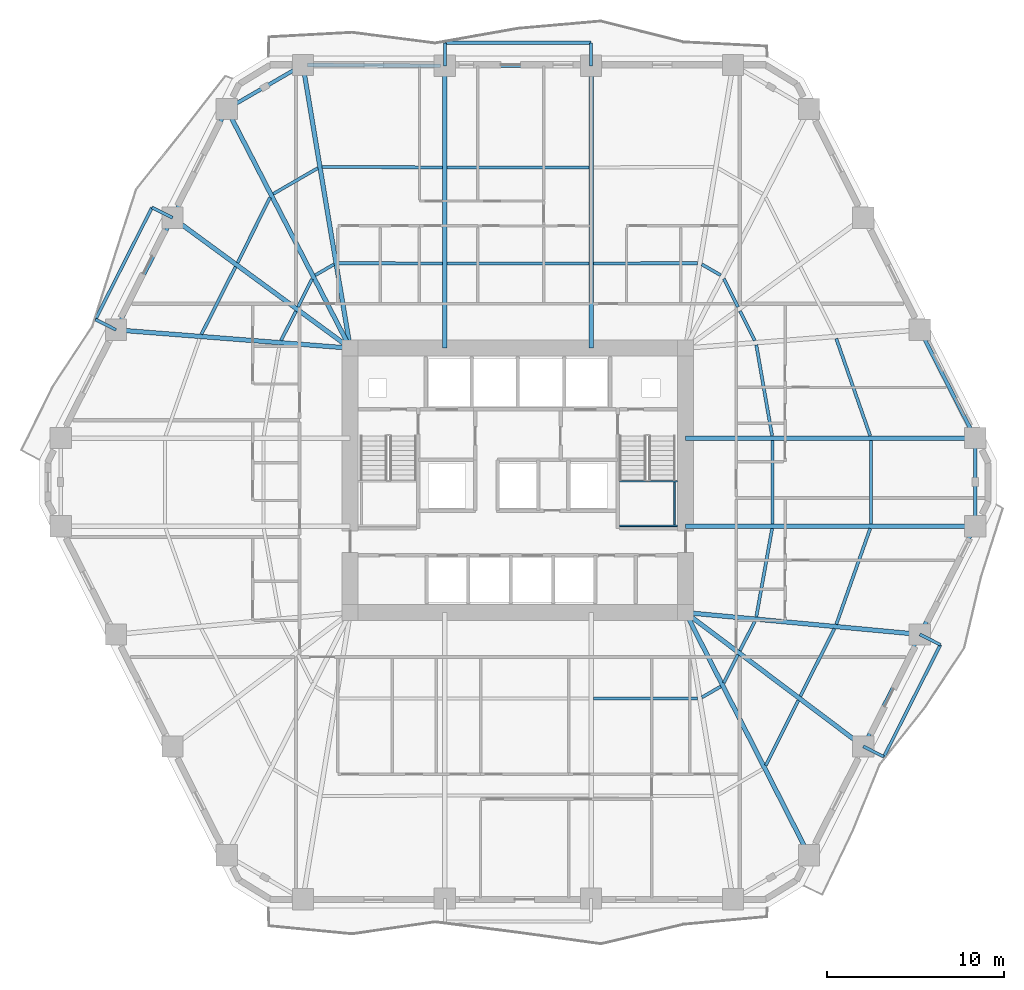
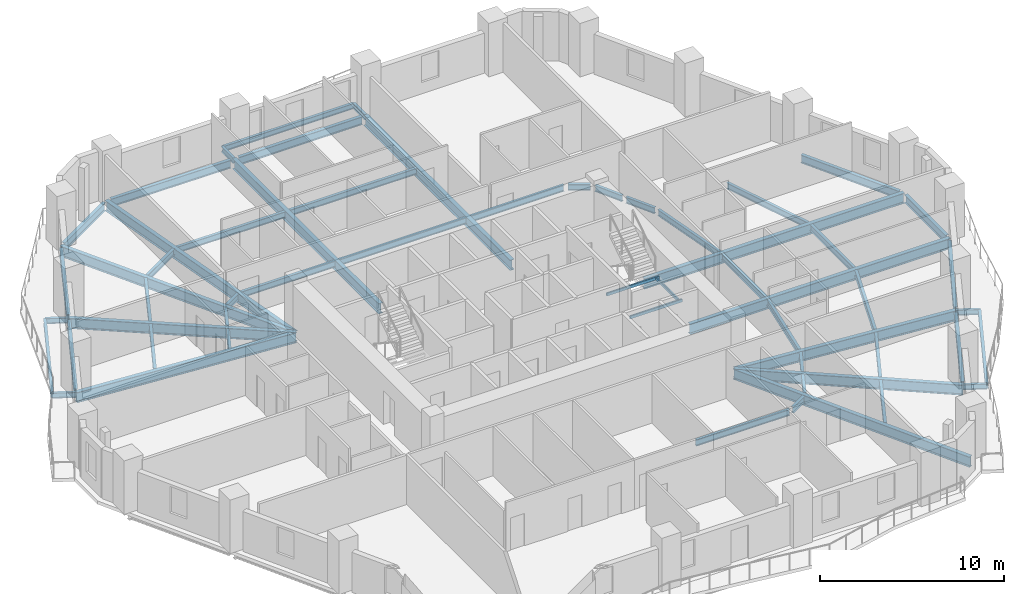
# One storey, part 2 of 12: 58 beams.
"""IFC4 building model written with IfcOpenShell, lengths in metres."""

from ifc_helpers import new_model, si_unit, direction, frame, origin, origin_2d, place, context, subcontext, project, spatial, hollow_rectangle, i_section, extrude, material, material_profile, profile_set, type_object, element, save


model = new_model("IFC4")

# Units and contexts
model_context = context("Model", 3, precision=1e-05, world=origin(), true_north=direction((0.0, 1.0)))
body_context = subcontext(model_context, "Body", "Model", "MODEL_VIEW")
ifc_project = project(units=[si_unit("LENGTHUNIT", "METRE"), si_unit("AREAUNIT", "SQUARE_METRE"), si_unit("VOLUMEUNIT", "CUBIC_METRE"), si_unit("PLANEANGLEUNIT", "RADIAN"), si_unit("MASSUNIT", "GRAM", prefix="KILO")], contexts=[model_context])

# Site, building, storey
site_placement = place(None, origin())
site = spatial("IfcSite", under=ifc_project, at=site_placement, CompositionType="ELEMENT")
building_placement = place(site_placement, origin())
building = spatial("IfcBuilding", under=site, at=building_placement, Name="Cinnabar Lancet Tower", CompositionType="ELEMENT")
storey_placement = place(building_placement, frame((0.0, 0.0, 71.050048828125)))
storey = spatial("IfcBuildingStorey", under=building, at=storey_placement, Name="L18", CompositionType="ELEMENT", Elevation=71.050048828125)

# Beams
ifc_material_1 = material(Name="Structural steel S355", Category="steel")
ifc_material_profile_1 = material_profile(ifc_material_1, i_section(OverallWidth=0.177978515625, OverallDepth=0.406494140625, WebThickness=0.0078125, FlangeThickness=0.0126953125, FilletRadius=0.01025390625, at=origin_2d()), Name="UKB 406x178x60")
ifc_profile_set_1 = profile_set([ifc_material_profile_1], Name="Structural steel S355")
beam_type_1 = type_object("IfcBeamType", Name="STR-BM-JST-406", PredefinedType="JOIST", material=ifc_profile_set_1)
beam_1_placement = place(storey_placement, frame((36.64892578125, 13.616943359375, -0.423095703125), z_axis=(0.999996783932, -0.002536163472, 0.0), x_axis=(0.002536163472, 0.999996783932, 0.0)))
element("IfcBeam", 1, at=beam_1_placement, inside=storey, type_object=beam_type_1, Name="L18 Secondary Floor Joist 14", PredefinedType="JOIST", context=body_context, shape_type="SweptSolid", body=[
    extrude(i_section(OverallWidth=0.177978515625, OverallDepth=0.406494140625, WebThickness=0.0078125, FlangeThickness=0.0126953125, FilletRadius=0.01025390625, at=origin_2d()), origin(), (0.0, 0.0, 1.0), 5.8720703125),
])
beam_2_placement = place(storey_placement, frame((42.76708984375, 13.669921875, -0.423095703125), z_axis=(0.865417177575, 0.50105200205, 0.0), x_axis=(-0.50105200205, 0.865417177575, 0.0)))
element("IfcBeam", 2, at=beam_2_placement, inside=storey, type_object=beam_type_1, Name="L18 Secondary Floor Joist 16", PredefinedType="JOIST", context=body_context, shape_type="SweptSolid", body=[
    extrude(i_section(OverallWidth=0.177978515625, OverallDepth=0.406494140625, WebThickness=0.0078125, FlangeThickness=0.0126953125, FilletRadius=0.01025390625, at=origin_2d()), origin(), (0.0, 0.0, 1.0), 1.223388671875),
])
beam_3_placement = place(storey_placement, frame((46.3701171875, 9.837890625, -0.423095703125), z_axis=(0.445807799253, 0.895128709251, 0.0), x_axis=(-0.895128709251, 0.445807799253, 0.0)))
element("IfcBeam", 3, at=beam_3_placement, inside=storey, type_object=beam_type_1, Name="L18 Secondary Floor Joist 17", PredefinedType="JOIST", context=body_context, shape_type="SweptSolid", body=[
    extrude(i_section(OverallWidth=0.177978515625, OverallDepth=0.406494140625, WebThickness=0.0078125, FlangeThickness=0.0126953125, FilletRadius=0.01025390625, at=origin_2d()), origin(), (0.0, 0.0, 1.0), 4.10009765625),
])
beam_4_placement = place(storey_placement, frame((44.006103515625, 14.488037109375, -0.423095703125), z_axis=(0.445778141453, 0.895143479339, 0.0), x_axis=(-0.895143479339, 0.445778141453, 0.0)))
element("IfcBeam", 4, at=beam_4_placement, inside=storey, type_object=beam_type_1, Name="L18 Secondary Floor Joist 18", PredefinedType="JOIST", context=body_context, shape_type="SweptSolid", body=[
    extrude(i_section(OverallWidth=0.177978515625, OverallDepth=0.406494140625, WebThickness=0.0078125, FlangeThickness=0.0126953125, FilletRadius=0.01025390625, at=origin_2d()), origin(), (0.0, 0.0, 1.0), 1.76953125),
])
beam_5_placement = place(storey_placement, frame((48.31396484375, 13.739013671875, -0.423095703125), z_axis=(0.450763900798, 0.892643213012, 0.0), x_axis=(-0.892643213012, 0.450763900798, 0.0)))
element("IfcBeam", 5, at=beam_5_placement, inside=storey, type_object=beam_type_1, Name="L18 Secondary Floor Joist 19", PredefinedType="JOIST", context=body_context, shape_type="SweptSolid", body=[
    extrude(i_section(OverallWidth=0.177978515625, OverallDepth=0.406494140625, WebThickness=0.0078125, FlangeThickness=0.0126953125, FilletRadius=0.01025390625, at=origin_2d()), origin(), (0.0, 0.0, 1.0), 4.25927734375),
])
beam_6_placement = place(storey_placement, frame((44.910888671875, 16.302978515625, -0.423095703125), z_axis=(0.450737053799, 0.892656769611, 0.0), x_axis=(-0.892656769611, 0.450737053799, 0.0)))
element("IfcBeam", 6, at=beam_6_placement, inside=storey, type_object=beam_type_1, Name="L18 Secondary Floor Joist 20", PredefinedType="JOIST", context=body_context, shape_type="SweptSolid", body=[
    extrude(i_section(OverallWidth=0.177978515625, OverallDepth=0.406494140625, WebThickness=0.0078125, FlangeThickness=0.0126953125, FilletRadius=0.01025390625, at=origin_2d()), origin(), (0.0, 0.0, 1.0), 1.855224609375),
])
beam_7_placement = place(storey_placement, frame((50.339111328125, 17.785888671875, -0.423095703125), z_axis=(0.333384030214, 0.942791115995, 0.0), x_axis=(-0.942791115995, 0.333384030214, 0.0)))
element("IfcBeam", 7, at=beam_7_placement, inside=storey, type_object=beam_type_1, Name="L18 Secondary Floor Joist 21", PredefinedType="JOIST", context=body_context, shape_type="SweptSolid", body=[
    extrude(i_section(OverallWidth=0.177978515625, OverallDepth=0.406494140625, WebThickness=0.0078125, FlangeThickness=0.0126953125, FilletRadius=0.01025390625, at=origin_2d()), origin(), (0.0, 0.0, 1.0), 5.728759765625),
])
beam_8_placement = place(storey_placement, frame((45.8310546875, 18.2060546875, -0.423095703125), z_axis=(0.176248165752, 0.98434576449, 0.0), x_axis=(-0.98434576449, 0.176248165752, 0.0)))
element("IfcBeam", 8, at=beam_8_placement, inside=storey, type_object=beam_type_1, Name="L18 Secondary Floor Joist 22", PredefinedType="JOIST", context=body_context, shape_type="SweptSolid", body=[
    extrude(i_section(OverallWidth=0.177978515625, OverallDepth=0.406494140625, WebThickness=0.0078125, FlangeThickness=0.0126953125, FilletRadius=0.01025390625, at=origin_2d()), origin(), (0.0, 0.0, 1.0), 5.06005859375),
])
for number, where, z_axis, x_axis, name in (
    (9, (52.2939453125, 23.44091796875, -0.423095703125), (0.0, 1.0, 0.0), (-1.0, 0.0, 0.0), "L18 Secondary Floor Joist 23"),
    (10, (46.7451171875, 23.44091796875, -0.423095703125), (0.0, 1.0, 0.0), (-1.0, 0.0, 0.0), "L18 Secondary Floor Joist 24"),
):
    element("IfcBeam", number, at=place(storey_placement, frame(where, z_axis=z_axis, x_axis=x_axis)), inside=storey, type_object=beam_type_1, Name=name, PredefinedType="JOIST", context=body_context, shape_type="SweptSolid", body=[
        extrude(i_section(OverallWidth=0.177978515625, OverallDepth=0.406494140625, WebThickness=0.0078125, FlangeThickness=0.0126953125, FilletRadius=0.01025390625, at=origin_2d()), origin(), (0.0, 0.0, 1.0), 4.718017578125),
    ])
beam_9_placement = place(storey_placement, frame((52.2490234375, 28.4130859375, -0.423095703125), z_axis=(-0.329541584143, 0.944141061664, 0.0), x_axis=(-0.944141061664, -0.329541584143, 0.0)))
element("IfcBeam", 11, at=beam_9_placement, inside=storey, type_object=beam_type_1, Name="L18 Secondary Floor Joist 25", PredefinedType="JOIST", context=body_context, shape_type="SweptSolid", body=[
    extrude(i_section(OverallWidth=0.177978515625, OverallDepth=0.406494140625, WebThickness=0.0078125, FlangeThickness=0.0126953125, FilletRadius=0.01025390625, at=origin_2d()), origin(), (0.0, 0.0, 1.0), 5.795654296875),
])
beam_10_placement = place(storey_placement, frame((46.722900390625, 28.4130859375, -0.423095703125), z_axis=(-0.171608810888, 0.985165171951, 0.0), x_axis=(-0.985165171951, -0.171608810888, 0.0)))
element("IfcBeam", 12, at=beam_10_placement, inside=storey, type_object=beam_type_1, Name="L18 Secondary Floor Joist 26", PredefinedType="JOIST", context=body_context, shape_type="SweptSolid", body=[
    extrude(i_section(OverallWidth=0.177978515625, OverallDepth=0.406494140625, WebThickness=0.0078125, FlangeThickness=0.0126953125, FilletRadius=0.01025390625, at=origin_2d()), origin(), (0.0, 0.0, 1.0), 5.197021484375),
])
beam_11_placement = place(storey_placement, frame((45.7470703125, 33.781005859375, -0.423095703125), z_axis=(-0.450525338421, 0.89276364142, 0.0), x_axis=(-0.89276364142, -0.450525338421, 0.0)))
element("IfcBeam", 13, at=beam_11_placement, inside=storey, type_object=beam_type_1, Name="L18 Secondary Floor Joist 28", PredefinedType="JOIST", context=body_context, shape_type="SweptSolid", body=[
    extrude(i_section(OverallWidth=0.177978515625, OverallDepth=0.406494140625, WebThickness=0.0078125, FlangeThickness=0.0126953125, FilletRadius=0.01025390625, at=origin_2d()), origin(), (0.0, 0.0, 1.0), 1.85595703125),
])
beam_12_placement = place(storey_placement, frame((44.794921875, 35.66796875, -0.423095703125), z_axis=(-0.445778141453, 0.895143479339, 0.0), x_axis=(-0.895143479339, -0.445778141453, 0.0)))
element("IfcBeam", 14, at=beam_12_placement, inside=storey, type_object=beam_type_1, Name="L18 Secondary Floor Joist 30", PredefinedType="JOIST", context=body_context, shape_type="SweptSolid", body=[
    extrude(i_section(OverallWidth=0.177978515625, OverallDepth=0.406494140625, WebThickness=0.0078125, FlangeThickness=0.0126953125, FilletRadius=0.01025390625, at=origin_2d()), origin(), (0.0, 0.0, 1.0), 1.76953125),
])
beam_13_placement = place(storey_placement, frame((43.825927734375, 37.45703125, -0.423095703125), z_axis=(-0.865417177575, 0.50105200205, 0.0), x_axis=(-0.50105200205, -0.865417177575, 0.0)))
element("IfcBeam", 15, at=beam_13_placement, inside=storey, type_object=beam_type_1, Name="L18 Secondary Floor Joist 32", PredefinedType="JOIST", context=body_context, shape_type="SweptSolid", body=[
    extrude(i_section(OverallWidth=0.177978515625, OverallDepth=0.406494140625, WebThickness=0.0078125, FlangeThickness=0.0126953125, FilletRadius=0.01025390625, at=origin_2d()), origin(), (0.0, 0.0, 1.0), 1.223388671875),
])
beam_14_placement = place(storey_placement, frame((42.52099609375, 38.137939453125, -0.423095703125), z_axis=(-0.999996783932, -0.002536163472, 0.0), x_axis=(0.002536163472, -0.999996783932, 0.0)))
element("IfcBeam", 16, at=beam_14_placement, inside=storey, type_object=beam_type_1, Name="L18 Secondary Floor Joist 34", PredefinedType="JOIST", context=body_context, shape_type="SweptSolid", body=[
    extrude(i_section(OverallWidth=0.177978515625, OverallDepth=0.406494140625, WebThickness=0.0078125, FlangeThickness=0.0126953125, FilletRadius=0.01025390625, at=origin_2d()), origin(), (0.0, 0.0, 1.0), 5.8720703125),
])
for number, where, z_axis, x_axis, name in (
    (17, (36.39501953125, 43.531005859375, -0.423095703125), (-1.0, 0.0, 0.0), (0.0, -1.0, 0.0), "L18 Secondary Floor Joist 35"),
    (18, (36.39501953125, 38.1220703125, -0.423095703125), (-1.0, 0.0, 0.0), (0.0, -1.0, 0.0), "L18 Secondary Floor Joist 36"),
):
    element("IfcBeam", number, at=place(storey_placement, frame(where, z_axis=z_axis, x_axis=x_axis)), inside=storey, type_object=beam_type_1, Name=name, PredefinedType="JOIST", context=body_context, shape_type="SweptSolid", body=[
        extrude(i_section(OverallWidth=0.177978515625, OverallDepth=0.406494140625, WebThickness=0.0078125, FlangeThickness=0.0126953125, FilletRadius=0.01025390625, at=origin_2d()), origin(), (0.0, 0.0, 1.0), 7.989990234375),
    ])
beam_15_placement = place(storey_placement, frame((28.15087890625, 43.531982421875, -0.423095703125), z_axis=(-0.999988870422, 0.004717947923, 0.0), x_axis=(-0.004717947923, -0.999988870422, 0.0)))
element("IfcBeam", 19, at=beam_15_placement, inside=storey, type_object=beam_type_1, Name="L18 Secondary Floor Joist 37", PredefinedType="JOIST", context=body_context, shape_type="SweptSolid", body=[
    extrude(i_section(OverallWidth=0.177978515625, OverallDepth=0.406494140625, WebThickness=0.0078125, FlangeThickness=0.0126953125, FilletRadius=0.01025390625, at=origin_2d()), origin(), (0.0, 0.0, 1.0), 6.77880859375),
])
beam_16_placement = place(storey_placement, frame((28.15087890625, 38.123046875, -0.423095703125), z_axis=(-0.999996783665, 0.00253626892, 0.0), x_axis=(-0.00253626892, -0.999996783665, 0.0)))
element("IfcBeam", 20, at=beam_16_placement, inside=storey, type_object=beam_type_1, Name="L18 Secondary Floor Joist 38", PredefinedType="JOIST", context=body_context, shape_type="SweptSolid", body=[
    extrude(i_section(OverallWidth=0.177978515625, OverallDepth=0.406494140625, WebThickness=0.0078125, FlangeThickness=0.0126953125, FilletRadius=0.01025390625, at=origin_2d()), origin(), (0.0, 0.0, 1.0), 5.871826171875),
])
beam_17_placement = place(storey_placement, frame((21.1259765625, 43.4970703125, -0.423095703125), z_axis=(-0.865209684948, -0.501410212373, 0.0), x_axis=(0.501410212373, -0.865209684948, 0.0)))
element("IfcBeam", 21, at=beam_17_placement, inside=storey, type_object=beam_type_1, Name="L18 Secondary Floor Joist 39", PredefinedType="JOIST", context=body_context, shape_type="SweptSolid", body=[
    extrude(i_section(OverallWidth=0.177978515625, OverallDepth=0.406494140625, WebThickness=0.0078125, FlangeThickness=0.0126953125, FilletRadius=0.01025390625, at=origin_2d()), origin(), (0.0, 0.0, 1.0), 2.90771484375),
])
beam_18_placement = place(storey_placement, frame((22.032958984375, 38.070068359375, -0.423095703125), z_axis=(-0.865417177575, -0.50105200205, 0.0), x_axis=(0.50105200205, -0.865417177575, 0.0)))
element("IfcBeam", 22, at=beam_18_placement, inside=storey, type_object=beam_type_1, Name="L18 Secondary Floor Joist 40", PredefinedType="JOIST", context=body_context, shape_type="SweptSolid", body=[
    extrude(i_section(OverallWidth=0.177978515625, OverallDepth=0.406494140625, WebThickness=0.0078125, FlangeThickness=0.0126953125, FilletRadius=0.01025390625, at=origin_2d()), origin(), (0.0, 0.0, 1.0), 1.223388671875),
])
beam_19_placement = place(storey_placement, frame((18.429931640625, 41.8349609375, -0.423095703125), z_axis=(-0.445641523434, -0.895211501597, 0.0), x_axis=(0.895211501597, -0.445641523434, 0.0)))
element("IfcBeam", 23, at=beam_19_placement, inside=storey, type_object=beam_type_1, Name="L18 Secondary Floor Joist 41", PredefinedType="JOIST", context=body_context, shape_type="SweptSolid", body=[
    extrude(i_section(OverallWidth=0.177978515625, OverallDepth=0.406494140625, WebThickness=0.0078125, FlangeThickness=0.0126953125, FilletRadius=0.01025390625, at=origin_2d()), origin(), (0.0, 0.0, 1.0), 4.1015625),
])
beam_20_placement = place(storey_placement, frame((20.7939453125, 37.251953125, -0.423095703125), z_axis=(-0.445888683384, -0.895088421347, 0.0), x_axis=(0.895088421347, -0.445888683384, 0.0)))
element("IfcBeam", 24, at=beam_20_placement, inside=storey, type_object=beam_type_1, Name="L18 Secondary Floor Joist 42", PredefinedType="JOIST", context=body_context, shape_type="SweptSolid", body=[
    extrude(i_section(OverallWidth=0.177978515625, OverallDepth=0.406494140625, WebThickness=0.0078125, FlangeThickness=0.0126953125, FilletRadius=0.01025390625, at=origin_2d()), origin(), (0.0, 0.0, 1.0), 1.76953125),
])
beam_21_placement = place(storey_placement, frame((16.486083984375, 37.93310546875, -0.423095703125), z_axis=(-0.450901848865, -0.892573539094, 0.0), x_axis=(0.892573539094, -0.450901848865, 0.0)))
element("IfcBeam", 25, at=beam_21_placement, inside=storey, type_object=beam_type_1, Name="L18 Secondary Floor Joist 43", PredefinedType="JOIST", context=body_context, shape_type="SweptSolid", body=[
    extrude(i_section(OverallWidth=0.177978515625, OverallDepth=0.406494140625, WebThickness=0.0078125, FlangeThickness=0.0126953125, FilletRadius=0.01025390625, at=origin_2d()), origin(), (0.0, 0.0, 1.0), 4.258544921875),
])
beam_22_placement = place(storey_placement, frame((19.888916015625, 35.43798828125, -0.423095703125), z_axis=(-0.450420487985, -0.892816545547, 0.0), x_axis=(0.892816545547, -0.450420487985, 0.0)))
element("IfcBeam", 26, at=beam_22_placement, inside=storey, type_object=beam_type_1, Name="L18 Secondary Floor Joist 44", PredefinedType="JOIST", context=body_context, shape_type="SweptSolid", body=[
    extrude(i_section(OverallWidth=0.177978515625, OverallDepth=0.406494140625, WebThickness=0.0078125, FlangeThickness=0.0126953125, FilletRadius=0.01025390625, at=origin_2d()), origin(), (0.0, 0.0, 1.0), 1.85595703125),
])
ifc_material_2 = material(Name="Structural steel S355", Category="steel")
ifc_material_profile_2 = material_profile(ifc_material_2, hollow_rectangle(XDim=0.10009765625, YDim=0.199951171875, WallThickness=0.008056640625, InnerFilletRadius=0.00390625, OuterFilletRadius=0.011962890625, at=origin_2d()), Name="RHS 200x100x8")
ifc_profile_set_2 = profile_set([ifc_material_profile_2], Name="Structural steel S355")
beam_type_2 = type_object("IfcBeamType", Name="STR-BM-LND-203", PredefinedType="BEAM", material=ifc_profile_set_2)
for number, where, z_axis, x_axis, name in (
    (27, (38.1201171875, 23.330078125, 1.474853515625), (1.0, 0.0, 0.0), (0.0, 1.0, 0.0), "L18 ST-2-L18 Landing Support Beam S"),
    (28, (38.1201171875, 25.844970703125, 1.474853515625), (1.0, 0.0, 0.0), (0.0, 1.0, 0.0), "L18 ST-2-L18 Landing Support Beam N"),
):
    element("IfcBeam", number, at=place(storey_placement, frame(where, z_axis=z_axis, x_axis=x_axis)), inside=storey, type_object=beam_type_2, Name=name, PredefinedType="BEAM", context=body_context, shape_type="SweptSolid", body=[
        extrude(hollow_rectangle(XDim=0.10009765625, YDim=0.199951171875, WallThickness=0.008056640625, InnerFilletRadius=0.00390625, OuterFilletRadius=0.011962890625, at=origin_2d()), origin(), (0.0, 0.0, 1.0), 3.27978515625),
    ])
beam_23_placement = place(storey_placement, frame((41.219970703125, 23.3798828125, 1.474853515625), z_axis=(0.0, 1.0, 0.0), x_axis=(-1.0, 0.0, 0.0)))
element("IfcBeam", 29, at=beam_23_placement, inside=storey, type_object=beam_type_2, Name="L18 ST-2-L18 Landing Side Trimmer Beam", PredefinedType="BEAM", context=body_context, shape_type="SweptSolid", body=[
    extrude(hollow_rectangle(XDim=0.10009765625, YDim=0.199951171875, WallThickness=0.008056640625, InnerFilletRadius=0.00390625, OuterFilletRadius=0.011962890625, at=origin_2d()), origin(), (0.0, 0.0, 1.0), 2.4150390625),
])
ifc_material_3 = material(Name="Structural steel S355", Category="steel")
ifc_material_profile_3 = material_profile(ifc_material_3, i_section(OverallWidth=0.209228515625, OverallDepth=0.533203125, WebThickness=0.010009765625, FlangeThickness=0.015625, FilletRadius=0.0126953125, at=origin_2d()), Name="UKB 533x210x92")
ifc_profile_set_3 = profile_set([ifc_material_profile_3], Name="Structural steel S355")
beam_type_3 = type_object("IfcBeamType", Name="STR-BM-SPN-533", PredefinedType="SPANDREL", material=ifc_profile_set_3)
beam_24_placement = place(storey_placement, frame((51.971923828125, 11.132080078125, -0.487060546875), z_axis=(0.450703143926, 0.892673891214, 0.0), x_axis=(-0.892673891214, 0.450703143926, 0.0)))
element("IfcBeam", 30, at=beam_24_placement, inside=storey, type_object=beam_type_3, Name="L18 Perimeter Spandrel 6", PredefinedType="SPANDREL", context=body_context, shape_type="SweptSolid", body=[
    extrude(i_section(OverallWidth=0.209228515625, OverallDepth=0.533203125, WebThickness=0.010009765625, FlangeThickness=0.015625, FilletRadius=0.0126953125, at=origin_2d()), origin(), (0.0, 0.0, 1.0), 6.570068359375),
])
beam_25_placement = place(storey_placement, frame((55.159912109375, 17.443115234375, -0.487060546875), z_axis=(0.456024522632, 0.889967209934, 0.0), x_axis=(-0.889967209934, 0.456024522632, 0.0)))
element("IfcBeam", 31, at=beam_25_placement, inside=storey, type_object=beam_type_3, Name="L18 Perimeter Spandrel 7", PredefinedType="SPANDREL", context=body_context, shape_type="SweptSolid", body=[
    extrude(i_section(OverallWidth=0.209228515625, OverallDepth=0.533203125, WebThickness=0.010009765625, FlangeThickness=0.015625, FilletRadius=0.0126953125, at=origin_2d()), origin(), (0.0, 0.0, 1.0), 6.34619140625),
])
beam_26_placement = place(storey_placement, frame((58.16796875, 23.56396484375, -0.487060546875), z_axis=(0.0, 1.0, 0.0), x_axis=(-1.0, 0.0, 0.0)))
element("IfcBeam", 32, at=beam_26_placement, inside=storey, type_object=beam_type_3, Name="L18 Perimeter Spandrel 8", PredefinedType="SPANDREL", context=body_context, shape_type="SweptSolid", body=[
    extrude(i_section(OverallWidth=0.209228515625, OverallDepth=0.533203125, WebThickness=0.010009765625, FlangeThickness=0.015625, FilletRadius=0.0126953125, at=origin_2d()), origin(), (0.0, 0.0, 1.0), 4.471923828125),
])
beam_27_placement = place(storey_placement, frame((58.053955078125, 28.509033203125, -0.487060546875), z_axis=(-0.456024522632, 0.889967209934, 0.0), x_axis=(-0.889967209934, -0.456024522632, 0.0)))
element("IfcBeam", 33, at=beam_27_placement, inside=storey, type_object=beam_type_3, Name="L18 Perimeter Spandrel 9", PredefinedType="SPANDREL", context=body_context, shape_type="SweptSolid", body=[
    extrude(i_section(OverallWidth=0.209228515625, OverallDepth=0.533203125, WebThickness=0.010009765625, FlangeThickness=0.015625, FilletRadius=0.0126953125, at=origin_2d()), origin(), (0.0, 0.0, 1.0), 6.34619140625),
])
beam_28_placement = place(storey_placement, frame((36.27197265625, 49.258056640625, -0.487060546875), z_axis=(-1.0, 0.0, 0.0), x_axis=(0.0, -1.0, 0.0)))
element("IfcBeam", 34, at=beam_28_placement, inside=storey, type_object=beam_type_3, Name="L18 Perimeter Spandrel 14", PredefinedType="SPANDREL", context=body_context, shape_type="SweptSolid", body=[
    extrude(i_section(OverallWidth=0.209228515625, OverallDepth=0.533203125, WebThickness=0.010009765625, FlangeThickness=0.015625, FilletRadius=0.0126953125, at=origin_2d()), origin(), (0.0, 0.0, 1.0), 7.743896484375),
])
beam_29_placement = place(storey_placement, frame((28.028076171875, 49.260009765625, -0.487060546875), z_axis=(-0.99997856757, 0.006547090947, 0.0), x_axis=(-0.006547090947, -0.99997856757, 0.0)))
element("IfcBeam", 35, at=beam_29_placement, inside=storey, type_object=beam_type_3, Name="L18 Perimeter Spandrel 15", PredefinedType="SPANDREL", context=body_context, shape_type="SweptSolid", body=[
    extrude(i_section(OverallWidth=0.209228515625, OverallDepth=0.533203125, WebThickness=0.010009765625, FlangeThickness=0.015625, FilletRadius=0.0126953125, at=origin_2d()), origin(), (0.0, 0.0, 1.0), 7.495361328125),
])
beam_30_placement = place(storey_placement, frame((20.06689453125, 49.18603515625, -0.487060546875), z_axis=(-0.865147238596, -0.501517951374, 0.0), x_axis=(0.501517951374, -0.865147238596, 0.0)))
element("IfcBeam", 36, at=beam_30_placement, inside=storey, type_object=beam_type_3, Name="L18 Perimeter Spandrel 16", PredefinedType="SPANDREL", context=body_context, shape_type="SweptSolid", body=[
    extrude(i_section(OverallWidth=0.209228515625, OverallDepth=0.533203125, WebThickness=0.010009765625, FlangeThickness=0.015625, FilletRadius=0.0126953125, at=origin_2d()), origin(), (0.0, 0.0, 1.0), 4.454833984375),
])
beam_31_placement = place(storey_placement, frame((15.885986328125, 46.60302734375, -0.487060546875), z_axis=(-0.445953050023, -0.89505635419, 0.0), x_axis=(0.89505635419, -0.445953050023, 0.0)))
element("IfcBeam", 37, at=beam_31_placement, inside=storey, type_object=beam_type_3, Name="L18 Perimeter Spandrel 17", PredefinedType="SPANDREL", context=body_context, shape_type="SweptSolid", body=[
    extrude(i_section(OverallWidth=0.209228515625, OverallDepth=0.533203125, WebThickness=0.010009765625, FlangeThickness=0.015625, FilletRadius=0.0126953125, at=origin_2d()), origin(), (0.0, 0.0, 1.0), 6.35498046875),
])
beam_32_placement = place(storey_placement, frame((12.827880859375, 40.468017578125, -0.487060546875), z_axis=(-0.450673532306, -0.892688841242, 0.0), x_axis=(0.892688841242, -0.450673532306, 0.0)))
element("IfcBeam", 38, at=beam_32_placement, inside=storey, type_object=beam_type_3, Name="L18 Perimeter Spandrel 18", PredefinedType="SPANDREL", context=body_context, shape_type="SweptSolid", body=[
    extrude(i_section(OverallWidth=0.209228515625, OverallDepth=0.533203125, WebThickness=0.010009765625, FlangeThickness=0.015625, FilletRadius=0.0126953125, at=origin_2d()), origin(), (0.0, 0.0, 1.0), 6.570068359375),
])
ifc_material_4 = material(Name="Structural steel S355", Category="steel")
ifc_material_profile_4 = material_profile(ifc_material_4, i_section(OverallWidth=0.253662109375, OverallDepth=0.68359375, WebThickness=0.012451171875, FlangeThickness=0.01904296875, FilletRadius=0.01513671875, at=origin_2d()), Name="UKB 686x254x140")
ifc_profile_set_4 = profile_set([ifc_material_profile_4], Name="Structural steel S355")
beam_type_4 = type_object("IfcBeamType", Name="STR-BM-UKB686-140", PredefinedType="BEAM", material=ifc_profile_set_4)
beam_33_placement = place(storey_placement, frame((51.85888671875, 10.908935546875, -0.56201171875), z_axis=(-0.798679534026, 0.601756596912, 0.0), x_axis=(-0.601756596912, -0.798679534026, 0.0)))
element("IfcBeam", 39, at=beam_33_placement, inside=storey, type_object=beam_type_4, Name="L18 Corner Collector Girder 2", PredefinedType="BEAM", context=body_context, shape_type="SweptSolid", body=[
    extrude(i_section(OverallWidth=0.253662109375, OverallDepth=0.68359375, WebThickness=0.012451171875, FlangeThickness=0.01904296875, FilletRadius=0.01513671875, at=origin_2d()), origin(), (0.0, 0.0, 1.0), 12.53173828125),
])
beam_34_placement = place(storey_placement, frame((12.94091796875, 40.69091796875, -0.56201171875), z_axis=(0.806371852816, -0.591408856026, 0.0), x_axis=(0.591408856026, 0.806371852816, 0.0)))
element("IfcBeam", 40, at=beam_34_placement, inside=storey, type_object=beam_type_4, Name="L18 Corner Collector Girder 4", PredefinedType="BEAM", context=body_context, shape_type="SweptSolid", body=[
    extrude(i_section(OverallWidth=0.253662109375, OverallDepth=0.68359375, WebThickness=0.012451171875, FlangeThickness=0.01904296875, FilletRadius=0.01513671875, at=origin_2d()), origin(), (0.0, 0.0, 1.0), 12.412353515625),
])
beam_35_placement = place(storey_placement, frame((48.802978515625, 4.77294921875, -0.56201171875), z_axis=(-0.453167599586, 0.89142533433, 0.0), x_axis=(-0.89142533433, -0.453167599586, 0.0)))
element("IfcBeam", 41, at=beam_35_placement, inside=storey, type_object=beam_type_4, Name="L18 Primary Floor Girder 5", PredefinedType="BEAM", context=body_context, shape_type="SweptSolid", body=[
    extrude(i_section(OverallWidth=0.253662109375, OverallDepth=0.68359375, WebThickness=0.012451171875, FlangeThickness=0.01904296875, FilletRadius=0.01513671875, at=origin_2d()), origin(), (0.0, 0.0, 1.0), 15.3427734375),
])
beam_36_placement = place(storey_placement, frame((55.0458984375, 17.219970703125, -0.56201171875), z_axis=(-0.99568405159, 0.092807701238, 0.0), x_axis=(-0.092807701238, -0.99568405159, 0.0)))
element("IfcBeam", 42, at=beam_36_placement, inside=storey, type_object=beam_type_4, Name="L18 Primary Floor Girder 7", PredefinedType="BEAM", context=body_context, shape_type="SweptSolid", body=[
    extrude(i_section(OverallWidth=0.253662109375, OverallDepth=0.68359375, WebThickness=0.012451171875, FlangeThickness=0.01904296875, FilletRadius=0.01513671875, at=origin_2d()), origin(), (0.0, 0.0, 1.0), 13.2529296875),
])
for number, where, z_axis, x_axis, name in (
    (43, (58.16796875, 23.31396484375, -0.56201171875), (-1.0, 0.0, 0.0), (0.0, -1.0, 0.0), "L18 Primary Floor Girder 8"),
    (44, (58.16796875, 28.285888671875, -0.56201171875), (-1.0, 0.0, 0.0), (0.0, -1.0, 0.0), "L18 Primary Floor Girder 9"),
):
    element("IfcBeam", number, at=place(storey_placement, frame(where, z_axis=z_axis, x_axis=x_axis)), inside=storey, type_object=beam_type_4, Name=name, PredefinedType="BEAM", context=body_context, shape_type="SweptSolid", body=[
        extrude(i_section(OverallWidth=0.253662109375, OverallDepth=0.68359375, WebThickness=0.012451171875, FlangeThickness=0.01904296875, FilletRadius=0.01513671875, at=origin_2d()), origin(), (0.0, 0.0, 1.0), 16.31787109375),
    ])
for number, where, z_axis, x_axis, name in (
    (45, (36.52197265625, 49.258056640625, -0.56201171875), (0.0, -1.0, 0.0), (1.0, 0.0, 0.0), "L18 Primary Floor Girder 14"),
    (46, (28.278076171875, 49.258056640625, -0.56201171875), (0.0, -1.0, 0.0), (1.0, 0.0, 0.0), "L18 Primary Floor Girder 15"),
):
    element("IfcBeam", number, at=place(storey_placement, frame(where, z_axis=z_axis, x_axis=x_axis)), inside=storey, type_object=beam_type_4, Name=name, PredefinedType="BEAM", context=body_context, shape_type="SweptSolid", body=[
        extrude(i_section(OverallWidth=0.253662109375, OverallDepth=0.68359375, WebThickness=0.012451171875, FlangeThickness=0.01904296875, FilletRadius=0.01513671875, at=origin_2d()), origin(), (0.0, 0.0, 1.0), 15.907958984375),
    ])
beam_37_placement = place(storey_placement, frame((20.282958984375, 49.31103515625, -0.56201171875), z_axis=(0.164809990854, -0.986325335229, 0.0), x_axis=(0.986325335229, 0.164809990854, 0.0)))
element("IfcBeam", 47, at=beam_37_placement, inside=storey, type_object=beam_type_4, Name="L18 Primary Floor Girder 16", PredefinedType="BEAM", context=body_context, shape_type="SweptSolid", body=[
    extrude(i_section(OverallWidth=0.253662109375, OverallDepth=0.68359375, WebThickness=0.012451171875, FlangeThickness=0.01904296875, FilletRadius=0.01513671875, at=origin_2d()), origin(), (0.0, 0.0, 1.0), 16.18212890625),
])
beam_38_placement = place(storey_placement, frame((15.9970703125, 46.826904296875, -0.56201171875), z_axis=(0.458492410387, -0.888698323177, 0.0), x_axis=(0.888698323177, 0.458492410387, 0.0)))
element("IfcBeam", 48, at=beam_38_placement, inside=storey, type_object=beam_type_4, Name="L18 Primary Floor Girder 17", PredefinedType="BEAM", context=body_context, shape_type="SweptSolid", body=[
    extrude(i_section(OverallWidth=0.253662109375, OverallDepth=0.68359375, WebThickness=0.012451171875, FlangeThickness=0.01904296875, FilletRadius=0.01513671875, at=origin_2d()), origin(), (0.0, 0.0, 1.0), 15.16455078125),
])
beam_39_placement = place(storey_placement, frame((9.75390625, 34.3798828125, -0.56201171875), z_axis=(0.99696891848, -0.077800871365, 0.0), x_axis=(0.077800871365, 0.99696891848, 0.0)))
element("IfcBeam", 49, at=beam_39_placement, inside=storey, type_object=beam_type_4, Name="L18 Primary Floor Girder 19", PredefinedType="BEAM", context=body_context, shape_type="SweptSolid", body=[
    extrude(i_section(OverallWidth=0.253662109375, OverallDepth=0.68359375, WebThickness=0.012451171875, FlangeThickness=0.01904296875, FilletRadius=0.01513671875, at=origin_2d()), origin(), (0.0, 0.0, 1.0), 13.236083984375),
])
ifc_material_5 = material(Name="Structural steel S355", Category="steel")
ifc_material_profile_5 = material_profile(ifc_material_5, i_section(OverallWidth=0.17138671875, OverallDepth=0.35498046875, WebThickness=0.00732421875, FlangeThickness=0.011474609375, FilletRadius=0.01025390625, at=origin_2d()), Name="UKB 356x171x51")
ifc_profile_set_5 = profile_set([ifc_material_profile_5], Name="Structural steel S355")
beam_type_5 = type_object("IfcBeamType", Name="STR-BM-WAV-OUT", PredefinedType="BEAM", material=ifc_profile_set_5)
for number, where, z_axis, x_axis, name in (
    (50, (51.85888671875, 10.908935546875, -0.39697265625), (0.892314203325, -0.451414845285, 0.0), (0.451414845285, 0.892314203325, 0.0), "L18 Face 2 Balcony Outlooker A"),
    (51, (55.0458984375, 17.219970703125, -0.39697265625), (0.892314203325, -0.451414845285, 0.0), (0.451414845285, 0.892314203325, 0.0), "L18 Face 2 Balcony Outlooker B"),
    (52, (36.52197265625, 49.258056640625, -0.39697265625), (0.0, 1.0, 0.0), (-1.0, 0.0, 0.0), "L18 Face 4 Balcony Outlooker A"),
    (53, (28.278076171875, 49.258056640625, -0.39697265625), (0.0, 1.0, 0.0), (-1.0, 0.0, 0.0), "L18 Face 4 Balcony Outlooker B"),
    (54, (12.94091796875, 40.69091796875, -0.39697265625), (-0.892200264127, 0.451639998995, 0.0), (-0.451639998995, -0.892200264127, 0.0), "L18 Face 5 Balcony Outlooker A"),
    (55, (9.75390625, 34.3798828125, -0.39697265625), (-0.892200264127, 0.451639998995, 0.0), (-0.451639998995, -0.892200264127, 0.0), "L18 Face 5 Balcony Outlooker B"),
):
    element("IfcBeam", number, at=place(storey_placement, frame(where, z_axis=z_axis, x_axis=x_axis)), inside=storey, type_object=beam_type_5, Name=name, PredefinedType="BEAM", context=body_context, shape_type="SweptSolid", body=[
        extrude(i_section(OverallWidth=0.17138671875, OverallDepth=0.35498046875, WebThickness=0.00732421875, FlangeThickness=0.011474609375, FilletRadius=0.01025390625, at=origin_2d()), origin(), (0.0, 0.0, 1.0), 1.300048828125),
    ])
ifc_material_6 = material(Name="Structural steel S355", Category="steel")
ifc_material_profile_6 = material_profile(ifc_material_6, i_section(OverallWidth=0.17138671875, OverallDepth=0.35498046875, WebThickness=0.00732421875, FlangeThickness=0.011474609375, FilletRadius=0.01025390625, at=origin_2d()), Name="UKB 356x171x51")
ifc_profile_set_6 = profile_set([ifc_material_profile_6], Name="Structural steel S355")
beam_type_6 = type_object("IfcBeamType", Name="STR-BM-WAV-TRIM", PredefinedType="SPANDREL", material=ifc_profile_set_6)
beam_40_placement = place(storey_placement, frame((53.01904296875, 10.322021484375, -0.39697265625), z_axis=(0.450773692627, 0.892638268301, 0.0), x_axis=(-0.892638268301, 0.450773692627, 0.0)))
element("IfcBeam", 56, at=beam_40_placement, inside=storey, type_object=beam_type_6, Name="L18 Face 2 Balcony Edge Trimmer", PredefinedType="SPANDREL", context=body_context, shape_type="SweptSolid", body=[
    extrude(i_section(OverallWidth=0.17138671875, OverallDepth=0.35498046875, WebThickness=0.00732421875, FlangeThickness=0.011474609375, FilletRadius=0.01025390625, at=origin_2d()), origin(), (0.0, 0.0, 1.0), 7.070068359375),
])
beam_41_placement = place(storey_placement, frame((36.52197265625, 50.55810546875, -0.39697265625), z_axis=(-1.0, 0.0, 0.0), x_axis=(0.0, -1.0, 0.0)))
element("IfcBeam", 57, at=beam_41_placement, inside=storey, type_object=beam_type_6, Name="L18 Face 4 Balcony Edge Trimmer", PredefinedType="SPANDREL", context=body_context, shape_type="SweptSolid", body=[
    extrude(i_section(OverallWidth=0.17138671875, OverallDepth=0.35498046875, WebThickness=0.00732421875, FlangeThickness=0.011474609375, FilletRadius=0.01025390625, at=origin_2d()), origin(), (0.0, 0.0, 1.0), 8.243896484375),
])
beam_42_placement = place(storey_placement, frame((11.781005859375, 41.278076171875, -0.39697265625), z_axis=(-0.450773692627, -0.892638268301, 0.0), x_axis=(0.892638268301, -0.450773692627, 0.0)))
element("IfcBeam", 58, at=beam_42_placement, inside=storey, type_object=beam_type_6, Name="L18 Face 5 Balcony Edge Trimmer", PredefinedType="SPANDREL", context=body_context, shape_type="SweptSolid", body=[
    extrude(i_section(OverallWidth=0.17138671875, OverallDepth=0.35498046875, WebThickness=0.00732421875, FlangeThickness=0.011474609375, FilletRadius=0.01025390625, at=origin_2d()), origin(), (0.0, 0.0, 1.0), 7.070068359375),
])

save(model, "model.ifc")
